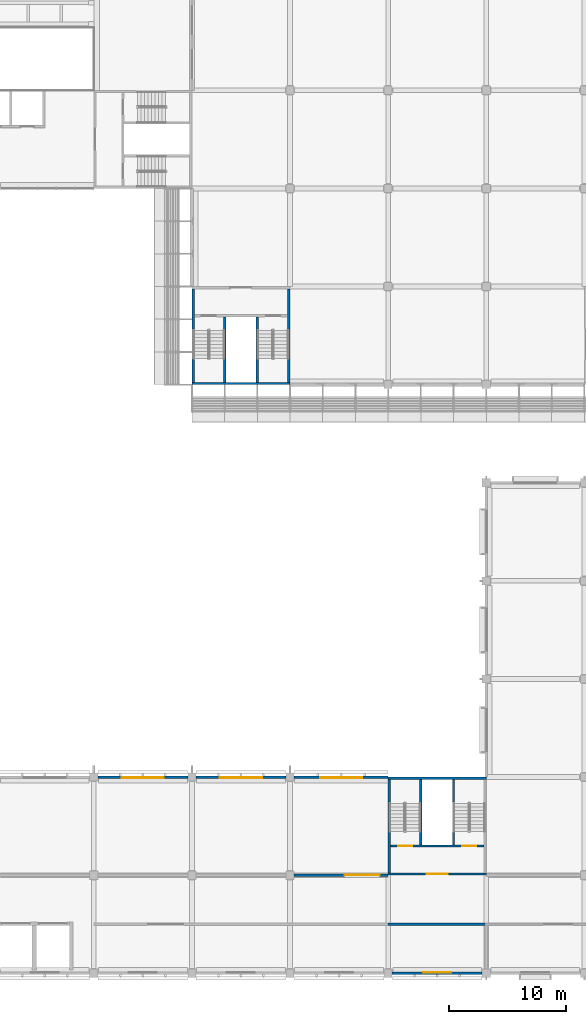
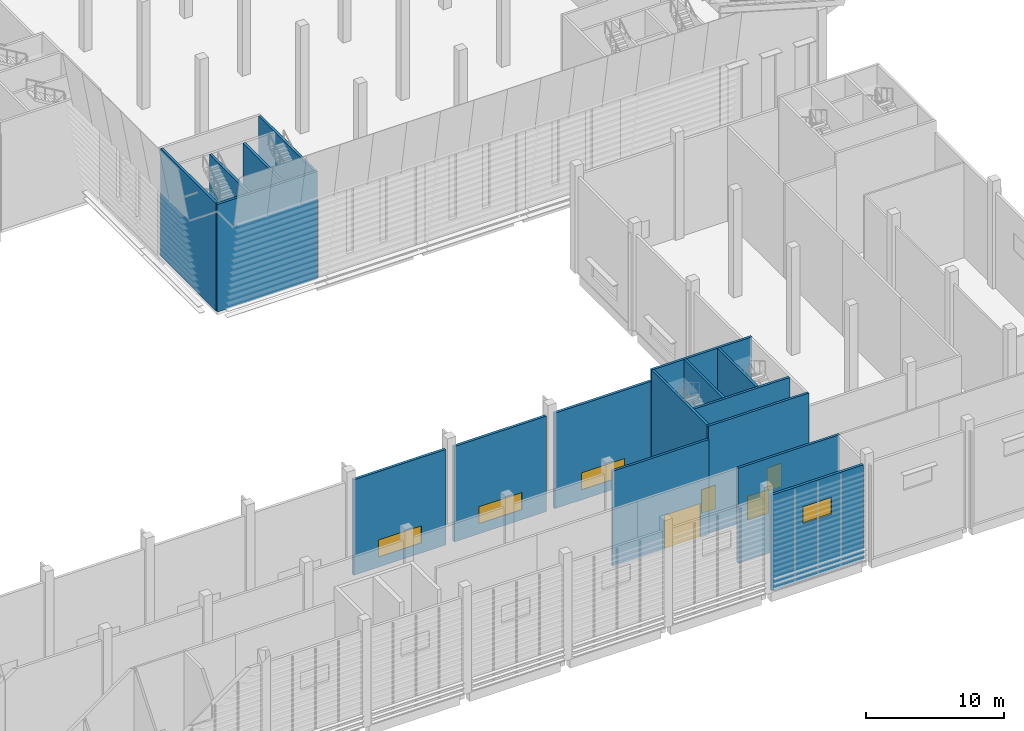
# One storey, part 44 of 114: 17 walls, 4 doors, 4 windows, 8 openings.
"""IFC4 building model written with IfcOpenShell, lengths in metres."""

from ifc_helpers import new_model, si_unit, direction, frame, frame_2d, origin, place, context, subcontext, project, spatial, rectangle, extrude, material, layer, layer_set, type_object, element, fill, save


model = new_model("IFC4")

# Units and contexts
model_context = context("Model", 3, precision=1e-05, world=origin(), true_north=direction((0.0, 1.0)))
body_context = subcontext(model_context, "Body", "Model", "MODEL_VIEW")
ifc_project = project(units=[si_unit("LENGTHUNIT", "METRE"), si_unit("AREAUNIT", "SQUARE_METRE"), si_unit("VOLUMEUNIT", "CUBIC_METRE"), si_unit("PLANEANGLEUNIT", "RADIAN"), si_unit("MASSUNIT", "GRAM", prefix="KILO")], contexts=[model_context])

# Site, building, storey
site_placement = place(None, origin())
site = spatial("IfcSite", under=ifc_project, at=site_placement, CompositionType="ELEMENT")
building_placement = place(site_placement, origin())
building = spatial("IfcBuilding", under=site, at=building_placement, Name="Almond Square Museum", CompositionType="ELEMENT")
storey_placement = place(building_placement, frame((0.0, 0.0, 10.5)))
storey = spatial("IfcBuildingStorey", under=building, at=storey_placement, Name="L02", CompositionType="ELEMENT", Elevation=10.5)

# Wall, opening, door
ifc_material_1 = material(Name="Concrete blockwork 200", Category="masonry")
ifc_layer_1 = layer(ifc_material_1, 0.199951171875)
ifc_layer_set_1 = layer_set([ifc_layer_1], Name="Concrete blockwork 200")
wall_type_1 = type_object("IfcWallType", Name="Fire partition 200 blockwork", PredefinedType="PARTITIONING", material=ifc_layer_set_1)
wall_1_placement = place(storey_placement, frame((115.550048828125, 8.39990234375, 0.0), z_axis=(0.0, 0.0, 1.0), x_axis=(1.0, 0.0, 0.0)))
wall_1 = element("IfcWall", 1, at=wall_1_placement, inside=storey, type_object=wall_type_1, Name="L02 partition 44", PredefinedType="PARTITIONING", context=body_context, shape_type="SweptSolid", body=[
    extrude(rectangle(XDim=8.050048828125, YDim=0.199951171875, at=frame_2d((4.02490234375, 0.0))), origin(), (0.0, 0.0, 1.0), 8.39990234375),
])
opening_1_placement = place(wall_1_placement, frame((4.324951171875, 0.0, 0.0)))
opening_1 = element("IfcOpeningElement", 2, at=opening_1_placement, cuts=wall_1, Name="Opening D2110", PredefinedType="OPENING", context=body_context, shape_type="SweptSolid", body=[
    extrude(rectangle(XDim=3.0, YDim=3.0, at=frame_2d((1.5, 1.5))), frame((0.0, 0.10986328125, 0.0), z_axis=(0.0, -1.0, 0.0), x_axis=(1.0, 0.0, 0.0)), (0.0, 0.0, 1.0), 0.219970703125),
])
ifc_material_2 = material(Name="Steel", Category="steel")
door_type_1 = type_object("IfcDoorType", Name="Dock door 3000 x 3000 steel double", OperationType="NOTDEFINED", PredefinedType="DOOR", material=ifc_material_2)
door_1_placement = place(opening_1_placement, origin())
door_1 = element("IfcDoor", 3, at=door_1_placement, inside=storey, type_object=door_type_1, Name="L02 door Tall Object Store 2 to Service Corridor 1", OperationType="DOUBLE_DOOR_SINGLE_SWING", OverallHeight=3.0, OverallWidth=3.0, PredefinedType="DOOR", context=body_context, shape_type="SweptSolid", body=[
    extrude(rectangle(XDim=3.0, YDim=3.0, at=frame_2d((1.5, 1.5))), frame((0.0, 0.02490234375, 0.0), z_axis=(0.0, -1.0, 0.0), x_axis=(1.0, 0.0, 0.0)), (0.0, 0.0, 1.0), 0.050048828125),
])
fill(opening_1, door_1)

# Walls
wall_2_placement = place(storey_placement, frame((123.60009765625, 4.199951171875, 0.0), z_axis=(0.0, 0.0, 1.0), x_axis=(1.0, 0.0, 0.0)))
element("IfcWall", 4, at=wall_2_placement, inside=storey, type_object=wall_type_1, Name="L02 partition 48", PredefinedType="PARTITIONING", context=body_context, shape_type="SweptSolid", body=[
    extrude(rectangle(XDim=8.5, YDim=0.199951171875, at=frame_2d((4.25, 0.0))), origin(), (0.0, 0.0, 1.0), 8.39990234375),
])
ifc_material_3 = material(Name="Concrete C40/50", Category="concrete")
ifc_layer_2 = layer(ifc_material_3, 0.199951171875)
ifc_layer_set_2 = layer_set([ifc_layer_2], Name="Concrete C40/50")
wall_type_2 = type_object("IfcWallType", Name="RC shear wall 200 C40/50", PredefinedType="SHEAR", material=ifc_layer_set_2)
wall_3_placement = place(storey_placement, frame((106.800048828125, 50.5, 0.0), z_axis=(0.0, 0.0, 1.0), x_axis=(1.0, 0.0, 0.0)))
element("IfcWall", 5, at=wall_3_placement, inside=storey, type_object=wall_type_2, Name="Core H1 south wall L02", PredefinedType="SHEAR", context=body_context, shape_type="SweptSolid", body=[
    extrude(rectangle(XDim=8.39990234375, YDim=0.199951171875, at=frame_2d((4.199951171875, 0.0))), origin(), (0.0, 0.0, 1.0), 9.5),
])
for number, where, z_axis, x_axis, name in (
    (6, (106.89990234375, 50.60009765625, 0.0), (0.0, 0.0, 1.0), (0.0, 1.0, 0.0), "Core H1 west wall L02"),
    (7, (115.10009765625, 50.60009765625, 0.0), (0.0, 0.0, 1.0), (0.0, 1.0, 0.0), "Core H1 east wall L02"),
):
    element("IfcWall", number, at=place(storey_placement, frame(where, z_axis=z_axis, x_axis=x_axis)), inside=storey, type_object=wall_type_2, Name=name, PredefinedType="SHEAR", context=body_context, shape_type="SweptSolid", body=[
        extrude(rectangle(XDim=8.0, YDim=0.199951171875, at=frame_2d((4.0, 0.0))), origin(), (0.0, 0.0, 1.0), 9.5),
    ])
for number, where, z_axis, x_axis, name in (
    (8, (109.60009765625, 50.60009765625, 0.0), (0.0, 0.0, 1.0), (0.0, 1.0, 0.0), "Core H1 partition wall L02"),
    (9, (112.39990234375, 50.60009765625, 0.0), (0.0, 0.0, 1.0), (0.0, 1.0, 0.0), "Core H1 partition wall L02"),
):
    element("IfcWall", number, at=place(storey_placement, frame(where, z_axis=z_axis, x_axis=x_axis)), inside=storey, type_object=wall_type_2, Name=name, PredefinedType="SHEAR", context=body_context, shape_type="SweptSolid", body=[
        extrude(rectangle(XDim=5.599853515625, YDim=0.199951171875, at=frame_2d((2.7998046875, 0.0))), origin(), (0.0, 0.0, 1.0), 9.5),
    ])

# Wall, opening, door
wall_4_placement = place(storey_placement, frame((123.60009765625, 8.5, 0.0), z_axis=(0.0, 0.0, 1.0), x_axis=(1.0, 0.0, 0.0)))
wall_4 = element("IfcWall", 10, at=wall_4_placement, inside=storey, type_object=wall_type_2, Name="Core S3 south wall L02", PredefinedType="SHEAR", context=body_context, shape_type="SweptSolid", body=[
    extrude(rectangle(XDim=8.39990234375, YDim=0.199951171875, at=frame_2d((4.199951171875, 0.0))), origin(), (0.0, 0.0, 1.0), 9.5),
])
opening_2_placement = place(wall_4_placement, frame((3.300048828125, 0.0, 0.0)))
opening_2 = element("IfcOpeningElement", 11, at=opening_2_placement, cuts=wall_4, Name="Opening D2173", PredefinedType="OPENING", context=body_context, shape_type="SweptSolid", body=[
    extrude(rectangle(XDim=1.800048828125, YDim=2.10009765625, at=frame_2d((0.89990234375, 1.050048828125))), frame((0.0, 0.10986328125, 0.0), z_axis=(0.0, -1.0, 0.0), x_axis=(1.0, 0.0, 0.0)), (0.0, 0.0, 1.0), 0.219970703125),
])
ifc_material_4 = material(Name="Steel", Category="steel")
door_type_2 = type_object("IfcDoorType", Name="Fire door 1800 x 2100 FD60 double", OperationType="NOTDEFINED", PredefinedType="DOOR", material=ifc_material_4)
door_2_placement = place(opening_2_placement, origin())
door_2 = element("IfcDoor", 12, at=door_2_placement, inside=storey, type_object=door_type_2, Name="L02 stair core S3 lobby door", OperationType="DOUBLE_DOOR_SINGLE_SWING", OverallHeight=2.10009765625, OverallWidth=1.800048828125, PredefinedType="DOOR", context=body_context, shape_type="SweptSolid", body=[
    extrude(rectangle(XDim=1.800048828125, YDim=2.10009765625, at=frame_2d((0.89990234375, 1.050048828125))), frame((0.0, 0.02490234375, 0.0), z_axis=(0.0, -1.0, 0.0), x_axis=(1.0, 0.0, 0.0)), (0.0, 0.0, 1.0), 0.050048828125),
])
fill(opening_2, door_2)

# Walls
wall_5_placement = place(storey_placement, frame((123.60009765625, 16.699951171875, 0.0), z_axis=(0.0, 0.0, 1.0), x_axis=(1.0, 0.0, 0.0)))
element("IfcWall", 13, at=wall_5_placement, inside=storey, type_object=wall_type_2, Name="Core S3 north wall L02", PredefinedType="SHEAR", context=body_context, shape_type="SweptSolid", body=[
    extrude(rectangle(XDim=8.39990234375, YDim=0.199951171875, at=frame_2d((4.199951171875, 0.0))), origin(), (0.0, 0.0, 1.0), 9.5),
])
wall_6_placement = place(storey_placement, frame((123.699951171875, 8.60009765625, 0.0), z_axis=(0.0, 0.0, 1.0), x_axis=(0.0, 1.0, 0.0)))
element("IfcWall", 14, at=wall_6_placement, inside=storey, type_object=wall_type_2, Name="Core S3 west wall L02", PredefinedType="SHEAR", context=body_context, shape_type="SweptSolid", body=[
    extrude(rectangle(XDim=8.0, YDim=0.199951171875, at=frame_2d((4.0, 0.0))), origin(), (0.0, 0.0, 1.0), 9.5),
])

# Wall, openings, doors
wall_7_placement = place(storey_placement, frame((123.800048828125, 10.89990234375, 0.0), z_axis=(0.0, 0.0, 1.0), x_axis=(1.0, 0.0, 0.0)))
wall_7 = element("IfcWall", 15, at=wall_7_placement, inside=storey, type_object=wall_type_2, Name="Core S3 lobby wall L02", PredefinedType="SHEAR", context=body_context, shape_type="SweptSolid", body=[
    extrude(rectangle(XDim=8.0, YDim=0.199951171875, at=frame_2d((4.0, 0.0))), origin(), (0.0, 0.0, 1.0), 9.5),
])
opening_3_placement = place(wall_7_placement, frame((0.64990234375, 0.0, 0.0)))
opening_3 = element("IfcOpeningElement", 16, at=opening_3_placement, cuts=wall_7, Name="Opening D2174", PredefinedType="OPENING", context=body_context, shape_type="SweptSolid", body=[
    extrude(rectangle(XDim=1.199951171875, YDim=2.10009765625, at=frame_2d((0.60009765625, 1.050048828125))), frame((0.0, 0.10986328125, 0.0), z_axis=(0.0, -1.0, 0.0), x_axis=(1.0, 0.0, 0.0)), (0.0, 0.0, 1.0), 0.219970703125),
])
opening_4_placement = place(wall_7_placement, frame((6.14990234375, 0.0, 0.0)))
opening_4 = element("IfcOpeningElement", 17, at=opening_4_placement, cuts=wall_7, Name="Opening D2175", PredefinedType="OPENING", context=body_context, shape_type="SweptSolid", body=[
    extrude(rectangle(XDim=1.199951171875, YDim=2.10009765625, at=frame_2d((0.60009765625, 1.050048828125))), frame((0.0, 0.10986328125, 0.0), z_axis=(0.0, -1.0, 0.0), x_axis=(1.0, 0.0, 0.0)), (0.0, 0.0, 1.0), 0.219970703125),
])
ifc_material_5 = material(Name="Steel", Category="steel")
door_type_3 = type_object("IfcDoorType", Name="Fire door 1200 x 2100 FD120 stair", OperationType="NOTDEFINED", PredefinedType="DOOR", material=ifc_material_5)
door_3_placement = place(opening_3_placement, origin())
door_3 = element("IfcDoor", 18, at=door_3_placement, inside=storey, type_object=door_type_3, Name="L02 stair S3-1 door", OperationType="SINGLE_SWING_LEFT", OverallHeight=2.10009765625, OverallWidth=1.199951171875, PredefinedType="DOOR", context=body_context, shape_type="SweptSolid", body=[
    extrude(rectangle(XDim=1.199951171875, YDim=2.10009765625, at=frame_2d((0.60009765625, 1.050048828125))), frame((0.0, 0.02490234375, 0.0), z_axis=(0.0, -1.0, 0.0), x_axis=(1.0, 0.0, 0.0)), (0.0, 0.0, 1.0), 0.050048828125),
])
fill(opening_3, door_3)
door_4_placement = place(opening_4_placement, origin())
door_4 = element("IfcDoor", 19, at=door_4_placement, inside=storey, type_object=door_type_3, Name="L02 stair S3-2 door", OperationType="SINGLE_SWING_RIGHT", OverallHeight=2.10009765625, OverallWidth=1.199951171875, PredefinedType="DOOR", context=body_context, shape_type="SweptSolid", body=[
    extrude(rectangle(XDim=1.199951171875, YDim=2.10009765625, at=frame_2d((0.60009765625, 1.050048828125))), frame((0.0, 0.02490234375, 0.0), z_axis=(0.0, -1.0, 0.0), x_axis=(1.0, 0.0, 0.0)), (0.0, 0.0, 1.0), 0.050048828125),
])
fill(opening_4, door_4)

# Walls
for number, where, z_axis, x_axis, name in (
    (20, (126.39990234375, 11.0, 0.0), (0.0, 0.0, 1.0), (0.0, 1.0, 0.0), "Core S3 partition wall L02"),
    (21, (129.199951171875, 11.0, 0.0), (0.0, 0.0, 1.0), (0.0, 1.0, 0.0), "Core S3 partition wall L02"),
):
    element("IfcWall", number, at=place(storey_placement, frame(where, z_axis=z_axis, x_axis=x_axis)), inside=storey, type_object=wall_type_2, Name=name, PredefinedType="SHEAR", context=body_context, shape_type="SweptSolid", body=[
        extrude(rectangle(XDim=5.60009765625, YDim=0.199951171875, at=frame_2d((2.800048828125, 0.0))), origin(), (0.0, 0.0, 1.0), 9.5),
    ])

# Wall, opening, window
ifc_material_6 = material(Name="Concrete C30/37", Category="concrete")
ifc_layer_3 = layer(ifc_material_6, 0.219970703125)
ifc_layer_set_3 = layer_set([ifc_layer_3], Name="Concrete C30/37")
wall_type_3 = type_object("IfcWallType", Name="Stucco panel wall 220 with insulation", PredefinedType="SOLIDWALL", material=ifc_layer_set_3)
wall_8_placement = place(storey_placement, frame((123.949951171875, 0.0, 0.0), z_axis=(0.0, 0.0, 1.0), x_axis=(1.0, 0.0, 0.0)))
wall_8 = element("IfcWall", 22, at=wall_8_placement, inside=storey, type_object=wall_type_3, Name="External wall W4 V5S L02 S14", PredefinedType="SOLIDWALL", context=body_context, shape_type="SweptSolid", body=[
    extrude(rectangle(XDim=7.699951171875, YDim=0.219970703125, at=frame_2d((3.85009765625, 0.0))), origin(), (0.0, 0.0, 1.0), 8.43994140625),
])
opening_5_placement = place(wall_8_placement, frame((2.64990234375, 0.0, 5.0)))
opening_5 = element("IfcOpeningElement", 23, at=opening_5_placement, cuts=wall_8, Name="Opening W2014", PredefinedType="OPENING", context=body_context, shape_type="SweptSolid", body=[
    extrude(rectangle(XDim=2.39990234375, YDim=1.5, at=frame_2d((1.199951171875, 0.75))), frame((0.0, 0.119873046875, 0.0), z_axis=(0.0, -1.0, 0.0), x_axis=(1.0, 0.0, 0.0)), (0.0, 0.0, 1.0), 0.239990234375),
])
ifc_material_7 = material(Name="Aluminium frame and laminated glass", Category="aluminium")
window_type_1 = type_object("IfcWindowType", Name="Tall studio clerestory window", PartitioningType="SINGLE_PANEL", PredefinedType="WINDOW", material=ifc_material_7)
window_1_placement = place(opening_5_placement, origin())
window_1 = element("IfcWindow", 24, at=window_1_placement, inside=storey, type_object=window_type_1, Name="Tall studio clerestory window W2014", OverallHeight=1.5, OverallWidth=2.39990234375, PartitioningType="SINGLE_PANEL", PredefinedType="WINDOW", context=body_context, shape_type="SweptSolid", body=[
    extrude(rectangle(XDim=2.39990234375, YDim=1.5, at=frame_2d((1.199951171875, 0.75))), frame((0.0, 0.090087890625, 0.0), z_axis=(0.0, -1.0, 0.0), x_axis=(1.0, 0.0, 0.0)), (0.0, 0.0, 1.0), 0.06005859375),
])
fill(opening_5, window_1)

wall_9_placement = place(storey_placement, frame((115.550048828125, 16.800048828125, 0.0), z_axis=(0.0, 0.0, 1.0), x_axis=(1.0, 0.0, 0.0)))
wall_9 = element("IfcWall", 25, at=wall_9_placement, inside=storey, type_object=wall_type_3, Name="External wall W4 V5S L02 N01", PredefinedType="SOLIDWALL", context=body_context, shape_type="SweptSolid", body=[
    extrude(rectangle(XDim=8.050048828125, YDim=0.219970703125, at=frame_2d((4.02490234375, 0.0))), origin(), (0.0, 0.0, 1.0), 8.43994140625),
])
opening_6_placement = place(wall_9_placement, frame((2.22509765625, 0.0, 0.89990234375)))
opening_6 = element("IfcOpeningElement", 26, at=opening_6_placement, cuts=wall_9, Name="Opening W2027", PredefinedType="OPENING", context=body_context, shape_type="SweptSolid", body=[
    extrude(rectangle(XDim=3.60009765625, YDim=1.5, at=frame_2d((1.800048828125, 0.75))), frame((0.0, 0.119873046875, 0.0), z_axis=(0.0, -1.0, 0.0), x_axis=(1.0, 0.0, 0.0)), (0.0, 0.0, 1.0), 0.239990234375),
])
ifc_material_8 = material(Name="Aluminium frame and laminated glass", Category="aluminium")
window_type_2 = type_object("IfcWindowType", Name="Office ribbon window", PartitioningType="SINGLE_PANEL", PredefinedType="WINDOW", material=ifc_material_8)
window_2_placement = place(opening_6_placement, origin())
window_2 = element("IfcWindow", 27, at=window_2_placement, inside=storey, type_object=window_type_2, Name="Office ribbon window W2027", OverallHeight=1.5, OverallWidth=3.60009765625, PartitioningType="DOUBLE_PANEL_VERTICAL", PredefinedType="WINDOW", context=body_context, shape_type="SweptSolid", body=[
    extrude(rectangle(XDim=3.60009765625, YDim=1.5, at=frame_2d((1.800048828125, 0.75))), frame((0.0, -0.030029296875, 0.0), z_axis=(0.0, -1.0, 0.0), x_axis=(1.0, 0.0, 0.0)), (0.0, 0.0, 1.0), 0.06005859375),
])
fill(opening_6, window_2)

wall_10_placement = place(storey_placement, frame((107.14990234375, 16.800048828125, 0.0), z_axis=(0.0, 0.0, 1.0), x_axis=(1.0, 0.0, 0.0)))
wall_10 = element("IfcWall", 28, at=wall_10_placement, inside=storey, type_object=wall_type_3, Name="External wall W4 V5S L02 N02", PredefinedType="SOLIDWALL", context=body_context, shape_type="SweptSolid", body=[
    extrude(rectangle(XDim=7.7001953125, YDim=0.219970703125, at=frame_2d((3.85009765625, 0.0))), origin(), (0.0, 0.0, 1.0), 8.43994140625),
])
opening_7_placement = place(wall_10_placement, frame((2.050048828125, 0.0, 0.89990234375)))
opening_7 = element("IfcOpeningElement", 29, at=opening_7_placement, cuts=wall_10, Name="Opening W2028", PredefinedType="OPENING", context=body_context, shape_type="SweptSolid", body=[
    extrude(rectangle(XDim=3.60009765625, YDim=1.5, at=frame_2d((1.800048828125, 0.75))), frame((0.0, 0.119873046875, 0.0), z_axis=(0.0, -1.0, 0.0), x_axis=(1.0, 0.0, 0.0)), (0.0, 0.0, 1.0), 0.239990234375),
])
window_3_placement = place(opening_7_placement, origin())
window_3 = element("IfcWindow", 30, at=window_3_placement, inside=storey, type_object=window_type_2, Name="Office ribbon window W2028", OverallHeight=1.5, OverallWidth=3.60009765625, PartitioningType="DOUBLE_PANEL_VERTICAL", PredefinedType="WINDOW", context=body_context, shape_type="SweptSolid", body=[
    extrude(rectangle(XDim=3.60009765625, YDim=1.5, at=frame_2d((1.800048828125, 0.75))), frame((0.0, -0.030029296875, 0.0), z_axis=(0.0, -1.0, 0.0), x_axis=(1.0, 0.0, 0.0)), (0.0, 0.0, 1.0), 0.06005859375),
])
fill(opening_7, window_3)

wall_11_placement = place(storey_placement, frame((98.75, 16.800048828125, 0.0), z_axis=(0.0, 0.0, 1.0), x_axis=(1.0, 0.0, 0.0)))
wall_11 = element("IfcWall", 31, at=wall_11_placement, inside=storey, type_object=wall_type_3, Name="External wall W4 V5S L02 N03", PredefinedType="SOLIDWALL", context=body_context, shape_type="SweptSolid", body=[
    extrude(rectangle(XDim=7.699951171875, YDim=0.219970703125, at=frame_2d((3.85009765625, 0.0))), origin(), (0.0, 0.0, 1.0), 8.43994140625),
])
opening_8_placement = place(wall_11_placement, frame((2.050048828125, 0.0, 0.89990234375)))
opening_8 = element("IfcOpeningElement", 32, at=opening_8_placement, cuts=wall_11, Name="Opening W2029", PredefinedType="OPENING", context=body_context, shape_type="SweptSolid", body=[
    extrude(rectangle(XDim=3.60009765625, YDim=1.5, at=frame_2d((1.800048828125, 0.75))), frame((0.0, 0.119873046875, 0.0), z_axis=(0.0, -1.0, 0.0), x_axis=(1.0, 0.0, 0.0)), (0.0, 0.0, 1.0), 0.239990234375),
])
window_4_placement = place(opening_8_placement, origin())
window_4 = element("IfcWindow", 33, at=window_4_placement, inside=storey, type_object=window_type_2, Name="Office ribbon window W2029", OverallHeight=1.5, OverallWidth=3.60009765625, PartitioningType="DOUBLE_PANEL_VERTICAL", PredefinedType="WINDOW", context=body_context, shape_type="SweptSolid", body=[
    extrude(rectangle(XDim=3.60009765625, YDim=1.5, at=frame_2d((1.800048828125, 0.75))), frame((0.0, -0.030029296875, 0.0), z_axis=(0.0, -1.0, 0.0), x_axis=(1.0, 0.0, 0.0)), (0.0, 0.0, 1.0), 0.06005859375),
])
fill(opening_8, window_4)

save(model, "model.ifc")
